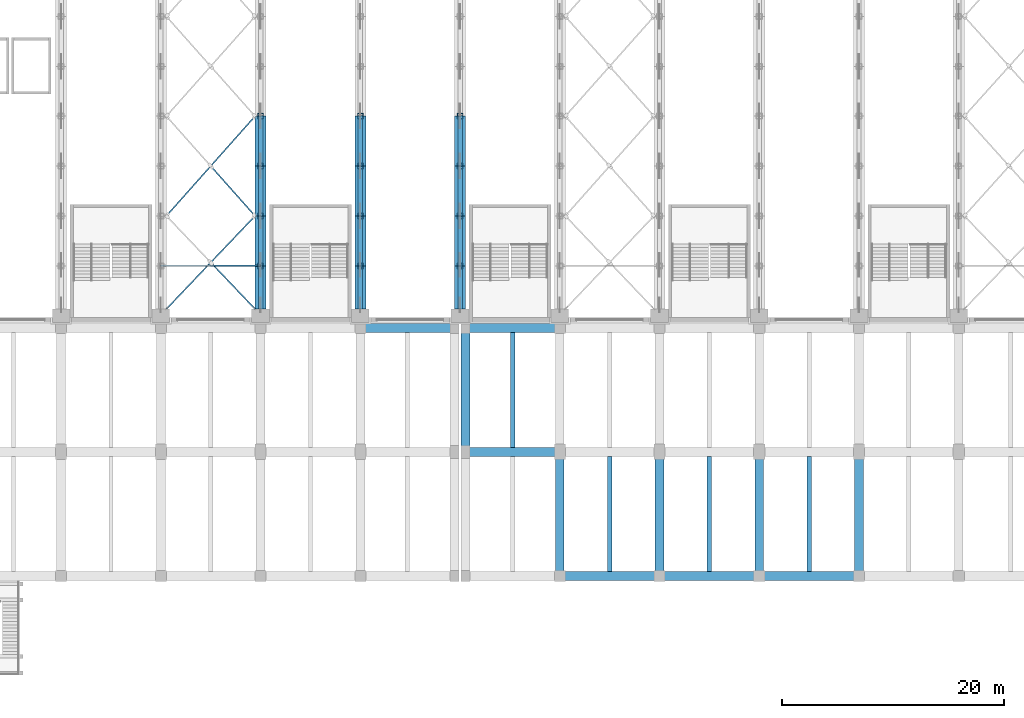
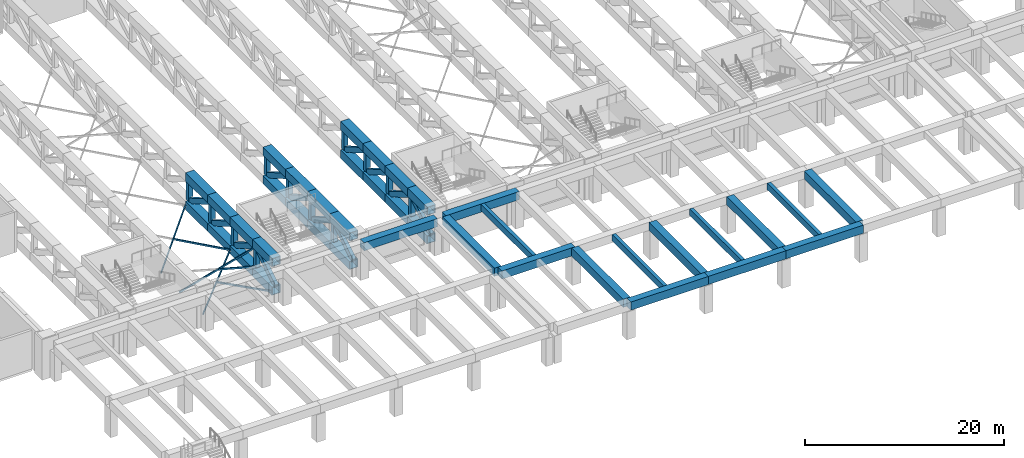
# One storey, part 9 of 76: 54 members, 15 beams.
"""IFC4 building model written with IfcOpenShell, lengths in metres."""

from ifc_helpers import new_model, si_unit, direction, frame, origin, origin_2d, place, context, subcontext, project, spatial, rectangle, hollow_rectangle, extrude, material, material_profile, profile_set, type_object, element, save


model = new_model("IFC4")

# Units and contexts
model_context = context("Model", 3, precision=1e-05, world=origin(), true_north=direction((0.0, 1.0)))
body_context = subcontext(model_context, "Body", "Model", "MODEL_VIEW")
ifc_project = project(units=[si_unit("LENGTHUNIT", "METRE"), si_unit("AREAUNIT", "SQUARE_METRE"), si_unit("VOLUMEUNIT", "CUBIC_METRE"), si_unit("PLANEANGLEUNIT", "RADIAN"), si_unit("MASSUNIT", "GRAM", prefix="KILO")], contexts=[model_context])

# Site, building, storey
site_placement = place(None, origin())
site = spatial("IfcSite", under=ifc_project, at=site_placement, CompositionType="ELEMENT")
building_placement = place(site_placement, origin())
building = spatial("IfcBuilding", under=site, at=building_placement, Name="Aravalli Gate Trade Fair Centre", CompositionType="ELEMENT")
storey_placement = place(building_placement, frame((0.0, 0.0, 10.0)))
storey = spatial("IfcBuildingStorey", under=building, at=storey_placement, Name="L02", CompositionType="ELEMENT", Elevation=10.0)

# Members
ifc_material_1 = material(Name="Steel E350", Category="steel")
ifc_material_profile_1 = material_profile(ifc_material_1, hollow_rectangle(XDim=0.1201171875, YDim=0.199951171875, WallThickness=0.008056640625, at=origin_2d()), Name="RHS 200x120x8")
ifc_profile_set_1 = profile_set([ifc_material_profile_1], Name="Steel E350")
member_type_1 = type_object("IfcMemberType", Name="Cross frame brace RHS 200x120x8", PredefinedType="BRACE", material=ifc_profile_set_1)
member_1_placement = place(storey_placement, frame((24.5, 46.60009765625, 0.5), z_axis=(0.689659376744, 0.724133926887, 0.0), x_axis=(-0.724133926887, 0.689659376744, 0.0)))
element("IfcMember", 1, at=member_1_placement, inside=storey, type_object=member_type_1, Name="FT plan brace bay 3 cell 1A", PredefinedType="BRACE", context=body_context, shape_type="SweptSolid", body=[
    extrude(hollow_rectangle(XDim=0.1201171875, YDim=0.199951171875, WallThickness=0.008056640625, at=origin_2d()), origin(), (0.0, 0.0, 1.0), 11.599853515625),
])
member_2_placement = place(storey_placement, frame((28.5, 50.800048828125, 0.5), z_axis=(0.689659376744, -0.724133926887, 0.0), x_axis=(0.724133926887, 0.689659376744, 0.0)))
element("IfcMember", 2, at=member_2_placement, inside=storey, type_object=member_type_1, Name="FT plan brace bay 3 cell 1B half 2", PredefinedType="BRACE", context=body_context, shape_type="SweptSolid", body=[
    extrude(hollow_rectangle(XDim=0.1201171875, YDim=0.199951171875, WallThickness=0.008056640625, at=origin_2d()), origin(), (0.0, 0.0, 1.0), 5.800048828125),
])
member_3_placement = place(storey_placement, frame((24.5, 55.0, 0.5), z_axis=(0.66436383883, 0.747409318684, 0.0), x_axis=(-0.747409318684, 0.66436383883, 0.0)))
element("IfcMember", 3, at=member_3_placement, inside=storey, type_object=member_type_1, Name="FT plan brace bay 3 cell 2A", PredefinedType="BRACE", context=body_context, shape_type="SweptSolid", body=[
    extrude(hollow_rectangle(XDim=0.1201171875, YDim=0.199951171875, WallThickness=0.008056640625, at=origin_2d()), origin(), (0.0, 0.0, 1.0), 12.04150390625),
])
member_4_placement = place(storey_placement, frame((28.5, 59.5, 0.5), z_axis=(0.66436383883, -0.747409318684, 0.0), x_axis=(0.747409318684, 0.66436383883, 0.0)))
element("IfcMember", 4, at=member_4_placement, inside=storey, type_object=member_type_1, Name="FT plan brace bay 3 cell 2B half 2", PredefinedType="BRACE", context=body_context, shape_type="SweptSolid", body=[
    extrude(hollow_rectangle(XDim=0.1201171875, YDim=0.199951171875, WallThickness=0.008056640625, at=origin_2d()), origin(), (0.0, 0.0, 1.0), 6.020751953125),
])
member_5_placement = place(storey_placement, frame((24.0, 50.5, 1.0), z_axis=(0.96351790963, 0.0, 0.267643863786), x_axis=(0.0, 1.0, 0.0)))
element("IfcMember", 5, at=member_5_placement, inside=storey, type_object=member_type_1, Name="FT vertical brace bay 3 frame 1A", PredefinedType="BRACE", context=body_context, shape_type="SweptSolid", body=[
    extrude(hollow_rectangle(XDim=0.1201171875, YDim=0.199951171875, WallThickness=0.008056640625, at=origin_2d()), origin(), (0.0, 0.0, 1.0), 9.3408203125),
])
member_6_placement = place(storey_placement, frame((28.5, 50.5, 2.25), z_axis=(0.96351790963, 0.0, -0.267643863786), x_axis=(0.0, 1.0, 0.0)))
element("IfcMember", 6, at=member_6_placement, inside=storey, type_object=member_type_1, Name="FT vertical brace bay 3 frame 1B half 2", PredefinedType="BRACE", context=body_context, shape_type="SweptSolid", body=[
    extrude(hollow_rectangle(XDim=0.1201171875, YDim=0.199951171875, WallThickness=0.008056640625, at=origin_2d()), origin(), (0.0, 0.0, 1.0), 4.67041015625),
])

# Beams
ifc_material_2 = material(Name="Concrete M45", Category="concrete")
ifc_material_profile_2 = material_profile(ifc_material_2, rectangle(XDim=0.800048828125, YDim=1.0, at=origin_2d()), Name="Deck girder RC 800 x 1000")
ifc_profile_set_2 = profile_set([ifc_material_profile_2], Name="Concrete M45")
beam_type_1 = type_object("IfcBeamType", Name="Deck girder RC 800 x 1000", PredefinedType="BEAM", material=ifc_profile_set_2)
beam_1_placement = place(storey_placement, frame((42.0, 44.89990234375, 3.89990234375), z_axis=(1.0, 0.0, 0.0), x_axis=(0.0, 1.0, 0.0)))
element("IfcBeam", 7, at=beam_1_placement, inside=storey, type_object=beam_type_1, Name="Beam SB3-015", PredefinedType="BEAM", context=body_context, shape_type="SweptSolid", body=[
    extrude(rectangle(XDim=0.800048828125, YDim=1.0, at=origin_2d()), origin(), (0.0, 0.0, 1.0), 8.5),
])
for number, where, z_axis, x_axis, name in (
    (8, (60.0, 22.5, 3.89990234375), (1.0, 0.0, 0.0), (0.0, 1.0, 0.0), "Beam SB3-029"),
    (9, (69.0, 22.5, 3.89990234375), (1.0, 0.0, 0.0), (0.0, 1.0, 0.0), "Beam SB3-030"),
    (10, (78.0, 22.5, 3.89990234375), (1.0, 0.0, 0.0), (0.0, 1.0, 0.0), "Beam SB3-031"),
):
    element("IfcBeam", number, at=place(storey_placement, frame(where, z_axis=z_axis, x_axis=x_axis)), inside=storey, type_object=beam_type_1, Name=name, PredefinedType="BEAM", context=body_context, shape_type="SweptSolid", body=[
        extrude(rectangle(XDim=0.800048828125, YDim=1.0, at=origin_2d()), origin(), (0.0, 0.0, 1.0), 9.0),
    ])
for number, where, z_axis, x_axis, name in (
    (11, (51.5, 33.699951171875, 3.89990234375), (1.0, 0.0, 0.0), (0.0, 1.0, 0.0), "Beam SB3-034"),
    (12, (51.5, 44.89990234375, 3.89990234375), (1.0, 0.0, 0.0), (0.0, 1.0, 0.0), "Beam SB3-040"),
):
    element("IfcBeam", number, at=place(storey_placement, frame(where, z_axis=z_axis, x_axis=x_axis)), inside=storey, type_object=beam_type_1, Name=name, PredefinedType="BEAM", context=body_context, shape_type="SweptSolid", body=[
        extrude(rectangle(XDim=0.800048828125, YDim=1.0, at=origin_2d()), origin(), (0.0, 0.0, 1.0), 8.5),
    ])
beam_2_placement = place(storey_placement, frame((51.5, 34.10009765625, 3.89990234375), z_axis=(0.0, 1.0, 0.0), x_axis=(-1.0, 0.0, 0.0)))
element("IfcBeam", 13, at=beam_2_placement, inside=storey, type_object=beam_type_1, Name="Beam SB3-047", PredefinedType="BEAM", context=body_context, shape_type="SweptSolid", body=[
    extrude(rectangle(XDim=0.800048828125, YDim=1.0, at=origin_2d()), origin(), (0.0, 0.0, 1.0), 10.39990234375),
])
for number, where, z_axis, x_axis, name in (
    (14, (60.0, 22.89990234375, 3.89990234375), (0.0, 1.0, 0.0), (-1.0, 0.0, 0.0), "Beam SB3-048"),
    (15, (69.0, 22.89990234375, 3.89990234375), (0.0, 1.0, 0.0), (-1.0, 0.0, 0.0), "Beam SB3-050"),
    (16, (78.0, 22.89990234375, 3.89990234375), (0.0, 1.0, 0.0), (-1.0, 0.0, 0.0), "Beam SB3-052"),
    (17, (87.0, 22.89990234375, 3.89990234375), (0.0, 1.0, 0.0), (-1.0, 0.0, 0.0), "Beam SB3-054"),
):
    element("IfcBeam", number, at=place(storey_placement, frame(where, z_axis=z_axis, x_axis=x_axis)), inside=storey, type_object=beam_type_1, Name=name, PredefinedType="BEAM", context=body_context, shape_type="SweptSolid", body=[
        extrude(rectangle(XDim=0.800048828125, YDim=1.0, at=origin_2d()), origin(), (0.0, 0.0, 1.0), 10.400146484375),
    ])
ifc_material_profile_3 = material_profile(ifc_material_2, rectangle(XDim=0.39990234375, YDim=0.800048828125, at=origin_2d()), Name="Deck secondary beam RC 400 x 800")
ifc_profile_set_3 = profile_set([ifc_material_profile_3], Name="Concrete M45")
beam_type_2 = type_object("IfcBeamType", Name="Deck secondary beam RC 400 x 800", PredefinedType="BEAM", material=ifc_profile_set_3)
beam_3_placement = place(storey_placement, frame((55.75, 34.10009765625, 4.0), z_axis=(0.0, 1.0, 0.0), x_axis=(-1.0, 0.0, 0.0)))
element("IfcBeam", 18, at=beam_3_placement, inside=storey, type_object=beam_type_2, Name="Beam SB4-012", PredefinedType="BEAM", context=body_context, shape_type="SweptSolid", body=[
    extrude(rectangle(XDim=0.39990234375, YDim=0.800048828125, at=origin_2d()), origin(), (0.0, 0.0, 1.0), 10.39990234375),
])
for number, where, z_axis, x_axis, name in (
    (19, (64.5, 22.89990234375, 4.0), (0.0, 1.0, 0.0), (-1.0, 0.0, 0.0), "Beam SB4-013"),
    (20, (73.5, 22.89990234375, 4.0), (0.0, 1.0, 0.0), (-1.0, 0.0, 0.0), "Beam SB4-015"),
    (21, (82.5, 22.89990234375, 4.0), (0.0, 1.0, 0.0), (-1.0, 0.0, 0.0), "Beam SB4-017"),
):
    element("IfcBeam", number, at=place(storey_placement, frame(where, z_axis=z_axis, x_axis=x_axis)), inside=storey, type_object=beam_type_2, Name=name, PredefinedType="BEAM", context=body_context, shape_type="SweptSolid", body=[
        extrude(rectangle(XDim=0.39990234375, YDim=0.800048828125, at=origin_2d()), origin(), (0.0, 0.0, 1.0), 10.400146484375),
    ])

# Members
ifc_material_profile_4 = material_profile(ifc_material_1, hollow_rectangle(XDim=1.0, YDim=1.0, WallThickness=0.050048828125, at=origin_2d()), Name="BOX 1000x1000x50")
ifc_profile_set_4 = profile_set([ifc_material_profile_4], Name="Steel E350")
member_type_2 = type_object("IfcMemberType", Name="FT1 chord BOX 1000x1000x50", PredefinedType="CHORD", material=ifc_profile_set_4)
for number, where, z_axis, x_axis, name in (
    (22, (33.0, 46.60009765625, 0.5), (0.0, 1.0, 0.0), (-1.0, 0.0, 0.0), "FT1 line 4 bottom chord 1"),
    (23, (33.0, 46.60009765625, 4.0), (0.0, 1.0, 0.0), (-1.0, 0.0, 0.0), "FT1 line 4 top chord 1"),
):
    element("IfcMember", number, at=place(storey_placement, frame(where, z_axis=z_axis, x_axis=x_axis)), inside=storey, type_object=member_type_2, Name=name, PredefinedType="CHORD", context=body_context, shape_type="SweptSolid", body=[
        extrude(hollow_rectangle(XDim=1.0, YDim=1.0, WallThickness=0.050048828125, at=origin_2d()), origin(), (0.0, 0.0, 1.0), 3.89990234375),
    ])
for number, where, z_axis, x_axis, name in (
    (24, (33.0, 50.5, 0.5), (0.0, 1.0, 0.0), (-1.0, 0.0, 0.0), "FT1 line 4 bottom chord 2"),
    (25, (33.0, 50.5, 4.0), (0.0, 1.0, 0.0), (-1.0, 0.0, 0.0), "FT1 line 4 top chord 2"),
    (26, (33.0, 55.0, 0.5), (0.0, 1.0, 0.0), (-1.0, 0.0, 0.0), "FT1 line 4 bottom chord 3"),
    (27, (33.0, 55.0, 4.0), (0.0, 1.0, 0.0), (-1.0, 0.0, 0.0), "FT1 line 4 top chord 3"),
    (28, (33.0, 59.5, 0.5), (0.0, 1.0, 0.0), (-1.0, 0.0, 0.0), "FT1 line 4 bottom chord 4"),
    (29, (33.0, 59.5, 4.0), (0.0, 1.0, 0.0), (-1.0, 0.0, 0.0), "FT1 line 4 top chord 4"),
):
    element("IfcMember", number, at=place(storey_placement, frame(where, z_axis=z_axis, x_axis=x_axis)), inside=storey, type_object=member_type_2, Name=name, PredefinedType="CHORD", context=body_context, shape_type="SweptSolid", body=[
        extrude(hollow_rectangle(XDim=1.0, YDim=1.0, WallThickness=0.050048828125, at=origin_2d()), origin(), (0.0, 0.0, 1.0), 4.5),
    ])
for number, where, z_axis, x_axis, name in (
    (30, (42.0, 46.60009765625, 0.5), (0.0, 1.0, 0.0), (-1.0, 0.0, 0.0), "FT1 line 5 bottom chord 1"),
    (31, (42.0, 46.60009765625, 4.0), (0.0, 1.0, 0.0), (-1.0, 0.0, 0.0), "FT1 line 5 top chord 1"),
):
    element("IfcMember", number, at=place(storey_placement, frame(where, z_axis=z_axis, x_axis=x_axis)), inside=storey, type_object=member_type_2, Name=name, PredefinedType="CHORD", context=body_context, shape_type="SweptSolid", body=[
        extrude(hollow_rectangle(XDim=1.0, YDim=1.0, WallThickness=0.050048828125, at=origin_2d()), origin(), (0.0, 0.0, 1.0), 3.89990234375),
    ])
for number, where, z_axis, x_axis, name in (
    (32, (42.0, 50.5, 0.5), (0.0, 1.0, 0.0), (-1.0, 0.0, 0.0), "FT1 line 5 bottom chord 2"),
    (33, (42.0, 50.5, 4.0), (0.0, 1.0, 0.0), (-1.0, 0.0, 0.0), "FT1 line 5 top chord 2"),
    (34, (42.0, 55.0, 0.5), (0.0, 1.0, 0.0), (-1.0, 0.0, 0.0), "FT1 line 5 bottom chord 3"),
    (35, (42.0, 55.0, 4.0), (0.0, 1.0, 0.0), (-1.0, 0.0, 0.0), "FT1 line 5 top chord 3"),
    (36, (42.0, 59.5, 0.5), (0.0, 1.0, 0.0), (-1.0, 0.0, 0.0), "FT1 line 5 bottom chord 4"),
    (37, (42.0, 59.5, 4.0), (0.0, 1.0, 0.0), (-1.0, 0.0, 0.0), "FT1 line 5 top chord 4"),
):
    element("IfcMember", number, at=place(storey_placement, frame(where, z_axis=z_axis, x_axis=x_axis)), inside=storey, type_object=member_type_2, Name=name, PredefinedType="CHORD", context=body_context, shape_type="SweptSolid", body=[
        extrude(hollow_rectangle(XDim=1.0, YDim=1.0, WallThickness=0.050048828125, at=origin_2d()), origin(), (0.0, 0.0, 1.0), 4.5),
    ])
for number, where, z_axis, x_axis, name in (
    (38, (51.0, 46.60009765625, 0.5), (0.0, 1.0, 0.0), (-1.0, 0.0, 0.0), "FT1 line 6 bottom chord 1"),
    (39, (51.0, 46.60009765625, 4.0), (0.0, 1.0, 0.0), (-1.0, 0.0, 0.0), "FT1 line 6 top chord 1"),
):
    element("IfcMember", number, at=place(storey_placement, frame(where, z_axis=z_axis, x_axis=x_axis)), inside=storey, type_object=member_type_2, Name=name, PredefinedType="CHORD", context=body_context, shape_type="SweptSolid", body=[
        extrude(hollow_rectangle(XDim=1.0, YDim=1.0, WallThickness=0.050048828125, at=origin_2d()), origin(), (0.0, 0.0, 1.0), 3.89990234375),
    ])
for number, where, z_axis, x_axis, name in (
    (40, (51.0, 50.5, 0.5), (0.0, 1.0, 0.0), (-1.0, 0.0, 0.0), "FT1 line 6 bottom chord 2"),
    (41, (51.0, 50.5, 4.0), (0.0, 1.0, 0.0), (-1.0, 0.0, 0.0), "FT1 line 6 top chord 2"),
    (42, (51.0, 55.0, 0.5), (0.0, 1.0, 0.0), (-1.0, 0.0, 0.0), "FT1 line 6 bottom chord 3"),
    (43, (51.0, 55.0, 4.0), (0.0, 1.0, 0.0), (-1.0, 0.0, 0.0), "FT1 line 6 top chord 3"),
    (44, (51.0, 59.5, 0.5), (0.0, 1.0, 0.0), (-1.0, 0.0, 0.0), "FT1 line 6 bottom chord 4"),
    (45, (51.0, 59.5, 4.0), (0.0, 1.0, 0.0), (-1.0, 0.0, 0.0), "FT1 line 6 top chord 4"),
):
    element("IfcMember", number, at=place(storey_placement, frame(where, z_axis=z_axis, x_axis=x_axis)), inside=storey, type_object=member_type_2, Name=name, PredefinedType="CHORD", context=body_context, shape_type="SweptSolid", body=[
        extrude(hollow_rectangle(XDim=1.0, YDim=1.0, WallThickness=0.050048828125, at=origin_2d()), origin(), (0.0, 0.0, 1.0), 4.5),
    ])
ifc_material_profile_5 = material_profile(ifc_material_1, hollow_rectangle(XDim=0.39990234375, YDim=0.60009765625, WallThickness=0.030029296875, at=origin_2d()), Name="RHS 600x400x30")
ifc_profile_set_5 = profile_set([ifc_material_profile_5], Name="Steel E350")
member_type_3 = type_object("IfcMemberType", Name="FT1 diagonal RHS 600x400x30", PredefinedType="BRACE", material=ifc_profile_set_5)
member_7_placement = place(storey_placement, frame((33.0, 46.60009765625, 1.0), z_axis=(0.0, 0.841872999265, 0.53967569253), x_axis=(-1.0, 0.0, 0.0)))
element("IfcMember", 46, at=member_7_placement, inside=storey, type_object=member_type_3, Name="FT1 line 4 diagonal 1", PredefinedType="BRACE", context=body_context, shape_type="SweptSolid", body=[
    extrude(hollow_rectangle(XDim=0.39990234375, YDim=0.60009765625, WallThickness=0.030029296875, at=origin_2d()), origin(), (0.0, 0.0, 1.0), 4.63232421875),
])
for number, where, z_axis, x_axis, name in (
    (47, (33.0, 50.60498046875, 3.5), (0.0, 0.863999951417, -0.503491890651), (-1.0, 0.0, 0.0), "FT1 line 4 diagonal 2"),
    (48, (33.0, 55.10498046875, 3.5), (0.0, 0.863999951417, -0.503491890651), (-1.0, 0.0, 0.0), "FT1 line 4 diagonal 3"),
    (49, (33.0, 59.60498046875, 3.5), (0.0, 0.863999951417, -0.503491890651), (-1.0, 0.0, 0.0), "FT1 line 4 diagonal 4"),
):
    element("IfcMember", number, at=place(storey_placement, frame(where, z_axis=z_axis, x_axis=x_axis)), inside=storey, type_object=member_type_3, Name=name, PredefinedType="BRACE", context=body_context, shape_type="SweptSolid", body=[
        extrude(hollow_rectangle(XDim=0.39990234375, YDim=0.60009765625, WallThickness=0.030029296875, at=origin_2d()), origin(), (0.0, 0.0, 1.0), 4.96533203125),
    ])
member_8_placement = place(storey_placement, frame((42.0, 46.60009765625, 1.0), z_axis=(0.0, 0.841872999265, 0.53967569253), x_axis=(-1.0, 0.0, 0.0)))
element("IfcMember", 50, at=member_8_placement, inside=storey, type_object=member_type_3, Name="FT1 line 5 diagonal 1", PredefinedType="BRACE", context=body_context, shape_type="SweptSolid", body=[
    extrude(hollow_rectangle(XDim=0.39990234375, YDim=0.60009765625, WallThickness=0.030029296875, at=origin_2d()), origin(), (0.0, 0.0, 1.0), 4.63232421875),
])
for number, where, z_axis, x_axis, name in (
    (51, (42.0, 50.60498046875, 3.5), (0.0, 0.863999951417, -0.503491890651), (-1.0, 0.0, 0.0), "FT1 line 5 diagonal 2"),
    (52, (42.0, 55.10498046875, 3.5), (0.0, 0.863999951417, -0.503491890651), (-1.0, 0.0, 0.0), "FT1 line 5 diagonal 3"),
    (53, (42.0, 59.60498046875, 3.5), (0.0, 0.863999951417, -0.503491890651), (-1.0, 0.0, 0.0), "FT1 line 5 diagonal 4"),
):
    element("IfcMember", number, at=place(storey_placement, frame(where, z_axis=z_axis, x_axis=x_axis)), inside=storey, type_object=member_type_3, Name=name, PredefinedType="BRACE", context=body_context, shape_type="SweptSolid", body=[
        extrude(hollow_rectangle(XDim=0.39990234375, YDim=0.60009765625, WallThickness=0.030029296875, at=origin_2d()), origin(), (0.0, 0.0, 1.0), 4.96533203125),
    ])
member_9_placement = place(storey_placement, frame((51.0, 46.60009765625, 1.0), z_axis=(0.0, 0.841872999265, 0.53967569253), x_axis=(-1.0, 0.0, 0.0)))
element("IfcMember", 54, at=member_9_placement, inside=storey, type_object=member_type_3, Name="FT1 line 6 diagonal 1", PredefinedType="BRACE", context=body_context, shape_type="SweptSolid", body=[
    extrude(hollow_rectangle(XDim=0.39990234375, YDim=0.60009765625, WallThickness=0.030029296875, at=origin_2d()), origin(), (0.0, 0.0, 1.0), 4.63232421875),
])
for number, where, z_axis, x_axis, name in (
    (55, (51.0, 50.60498046875, 3.5), (0.0, 0.863999951417, -0.503491890651), (-1.0, 0.0, 0.0), "FT1 line 6 diagonal 2"),
    (56, (51.0, 55.10498046875, 3.5), (0.0, 0.863999951417, -0.503491890651), (-1.0, 0.0, 0.0), "FT1 line 6 diagonal 3"),
    (57, (51.0, 59.60498046875, 3.5), (0.0, 0.863999951417, -0.503491890651), (-1.0, 0.0, 0.0), "FT1 line 6 diagonal 4"),
):
    element("IfcMember", number, at=place(storey_placement, frame(where, z_axis=z_axis, x_axis=x_axis)), inside=storey, type_object=member_type_3, Name=name, PredefinedType="BRACE", context=body_context, shape_type="SweptSolid", body=[
        extrude(hollow_rectangle(XDim=0.39990234375, YDim=0.60009765625, WallThickness=0.030029296875, at=origin_2d()), origin(), (0.0, 0.0, 1.0), 4.96533203125),
    ])
ifc_material_profile_6 = material_profile(ifc_material_1, hollow_rectangle(XDim=0.5, YDim=0.5, WallThickness=0.02490234375, at=origin_2d()), Name="BOX 500x500x25")
ifc_profile_set_6 = profile_set([ifc_material_profile_6], Name="Steel E350")
member_type_4 = type_object("IfcMemberType", Name="FT1 post BOX 500x500x25", PredefinedType="POST", material=ifc_profile_set_6)
for number, where, z_axis, x_axis, name in (
    (58, (33.0, 50.5, 1.0), (0.0, 0.0, 1.0), (1.0, 0.0, 0.0), "FT1 line 4 post 1"),
    (59, (33.0, 55.0, 1.0), (0.0, 0.0, 1.0), (1.0, 0.0, 0.0), "FT1 line 4 post 2"),
    (60, (33.0, 59.5, 1.0), (0.0, 0.0, 1.0), (1.0, 0.0, 0.0), "FT1 line 4 post 3"),
    (61, (33.0, 64.0, 1.0), (0.0, 0.0, 1.0), (1.0, 0.0, 0.0), "FT1 line 4 post 4"),
    (62, (42.0, 50.5, 1.0), (0.0, 0.0, 1.0), (1.0, 0.0, 0.0), "FT1 line 5 post 1"),
    (63, (42.0, 55.0, 1.0), (0.0, 0.0, 1.0), (1.0, 0.0, 0.0), "FT1 line 5 post 2"),
    (64, (42.0, 59.5, 1.0), (0.0, 0.0, 1.0), (1.0, 0.0, 0.0), "FT1 line 5 post 3"),
    (65, (42.0, 64.0, 1.0), (0.0, 0.0, 1.0), (1.0, 0.0, 0.0), "FT1 line 5 post 4"),
    (66, (51.0, 50.5, 1.0), (0.0, 0.0, 1.0), (1.0, 0.0, 0.0), "FT1 line 6 post 1"),
    (67, (51.0, 55.0, 1.0), (0.0, 0.0, 1.0), (1.0, 0.0, 0.0), "FT1 line 6 post 2"),
    (68, (51.0, 59.5, 1.0), (0.0, 0.0, 1.0), (1.0, 0.0, 0.0), "FT1 line 6 post 3"),
    (69, (51.0, 64.0, 1.0), (0.0, 0.0, 1.0), (1.0, 0.0, 0.0), "FT1 line 6 post 4"),
):
    element("IfcMember", number, at=place(storey_placement, frame(where, z_axis=z_axis, x_axis=x_axis)), inside=storey, type_object=member_type_4, Name=name, PredefinedType="POST", context=body_context, shape_type="SweptSolid", body=[
        extrude(hollow_rectangle(XDim=0.5, YDim=0.5, WallThickness=0.02490234375, at=origin_2d()), origin(), (0.0, 0.0, 1.0), 2.5),
    ])

save(model, "model.ifc")
